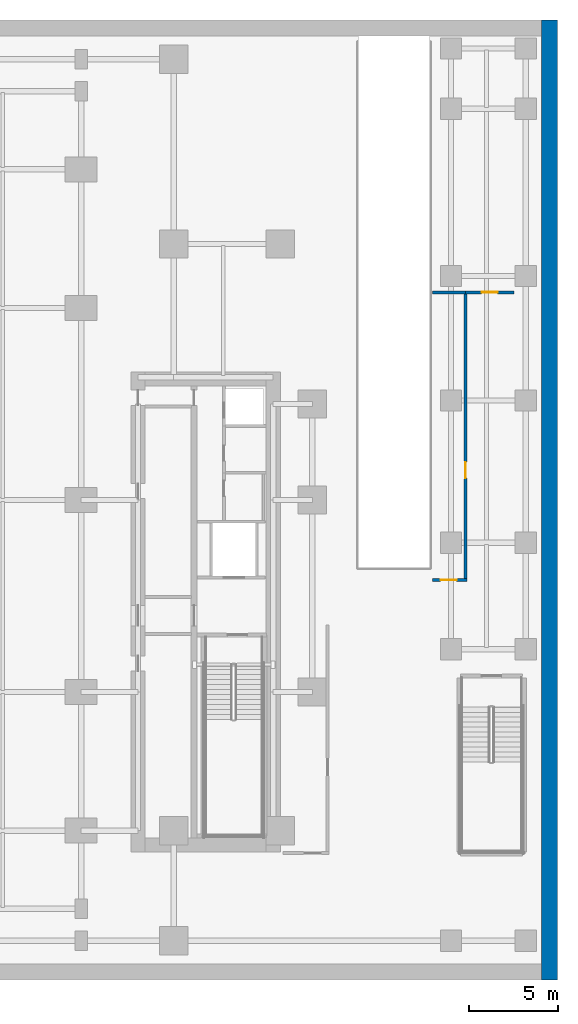
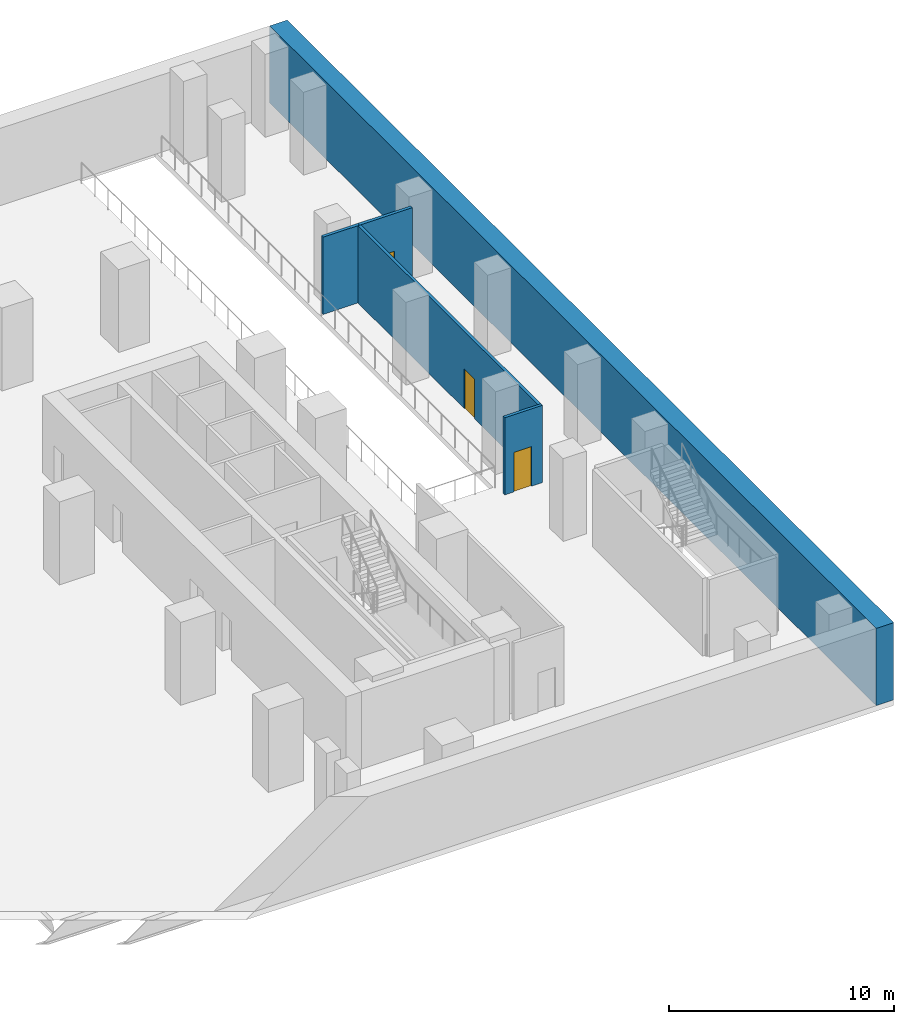
# One storey, part 8 of 14: 5 walls, 3 doors, 3 openings.
"""IFC4 building model written with IfcOpenShell, lengths in metres."""

from ifc_helpers import new_model, si_unit, direction, frame, frame_2d, origin, place, context, subcontext, project, spatial, rectangle, extrude, material, layer, layer_set, type_object, element, fill, save


model = new_model("IFC4")

# Units and contexts
model_context = context("Model", 3, precision=1e-05, world=origin(), true_north=direction((0.0, 1.0)))
body_context = subcontext(model_context, "Body", "Model", "MODEL_VIEW")
ifc_project = project(units=[si_unit("LENGTHUNIT", "METRE"), si_unit("AREAUNIT", "SQUARE_METRE"), si_unit("VOLUMEUNIT", "CUBIC_METRE"), si_unit("PLANEANGLEUNIT", "RADIAN"), si_unit("MASSUNIT", "GRAM", prefix="KILO")], contexts=[model_context])

# Site, building, storey
site_placement = place(None, origin())
site = spatial("IfcSite", under=ifc_project, at=site_placement, CompositionType="ELEMENT")
building_placement = place(site_placement, origin())
building = spatial("IfcBuilding", under=site, at=building_placement, Name="Khairoan Windgate Tower", CompositionType="ELEMENT")
storey_placement = place(building_placement, frame((0.0, 0.0, -4.5)))
storey = spatial("IfcBuildingStorey", under=building, at=storey_placement, Name="B1", CompositionType="ELEMENT", Elevation=-4.5)

# Wall, opening, door
ifc_material_1 = material(Name="Concrete C40/50", Category="concrete")
ifc_layer_1 = layer(ifc_material_1, 0.159912109375, Name="Concrete C40/50")
ifc_layer_set_1 = layer_set([ifc_layer_1], Name="Concrete C40/50")
wall_type_1 = type_object("IfcWallType", Name="Plant and Refuge Compartment Wall", PredefinedType="PARTITIONING", material=ifc_layer_set_1)
wall_1_placement = place(storey_placement, frame((30.820068359375, 11.679931640625, 0.0), z_axis=(0.0, 0.0, 1.0), x_axis=(1.0, 0.0, 0.0)))
wall_1 = element("IfcWall", 1, at=wall_1_placement, inside=storey, type_object=wall_type_1, Name="B1 Interior Partition 014", PredefinedType="PARTITIONING", context=body_context, shape_type="SweptSolid", body=[
    extrude(rectangle(XDim=2.719970703125, YDim=0.159912109375, at=frame_2d((1.35986328125, 0.0))), origin(), (0.0, 0.0, 1.0), 4.199951171875),
])
opening_1_placement = place(wall_1_placement, frame((0.909912109375, 0.0, 0.0)))
opening_1 = element("IfcOpeningElement", 2, at=opening_1_placement, cuts=wall_1, Name="Opening FD-ENT", PredefinedType="OPENING", context=body_context, shape_type="SweptSolid", body=[
    extrude(rectangle(XDim=0.89990234375, YDim=2.14990234375, at=frame_2d((0.449951171875, 1.074951171875))), frame((0.0, 0.08984375, 0.0), z_axis=(0.0, -1.0, 0.0), x_axis=(1.0, 0.0, 0.0)), (0.0, 0.0, 1.0), 0.179931640625),
])
ifc_material_2 = material(Name="Timber Fire-Rated Core", Category="wood")
door_type = type_object("IfcDoorType", Name="Unit and Office Fire Entrance Door FD-ENT 900x2150", OperationType="NOTDEFINED", PredefinedType="DOOR", material=ifc_material_2)
door_1_placement = place(opening_1_placement, origin())
door_1 = element("IfcDoor", 3, at=door_1_placement, inside=storey, type_object=door_type, Name="B1 B1-49-B1-50 Door", OperationType="SINGLE_SWING_LEFT", OverallHeight=2.14990234375, OverallWidth=0.89990234375, PredefinedType="DOOR", context=body_context, shape_type="SweptSolid", body=[
    extrude(rectangle(XDim=0.89990234375, YDim=2.14990234375, at=frame_2d((0.449951171875, 1.074951171875))), frame((0.0, 0.02490234375, 0.0), z_axis=(0.0, -1.0, 0.0), x_axis=(1.0, 0.0, 0.0)), (0.0, 0.0, 1.0), 0.050048828125),
])
fill(opening_1, door_1)

# Wall
wall_2_placement = place(storey_placement, frame((28.9599609375, 11.679931640625, 0.0), z_axis=(0.0, 0.0, 1.0), x_axis=(1.0, 0.0, 0.0)))
element("IfcWall", 4, at=wall_2_placement, inside=storey, type_object=wall_type_1, Name="B1 Interior Partition 016", PredefinedType="PARTITIONING", context=body_context, shape_type="SweptSolid", body=[
    extrude(rectangle(XDim=1.860107421875, YDim=0.159912109375, at=frame_2d((0.93017578125, 0.0))), origin(), (0.0, 0.0, 1.0), 4.199951171875),
])

# Wall, opening, door
ifc_material_3 = material(Name="Acoustic Fire-Rated Gypsum Partition", Category="gypsum")
ifc_layer_2 = layer(ifc_material_3, 0.14990234375, Name="Acoustic Fire-Rated Gypsum Partition")
ifc_layer_set_2 = layer_set([ifc_layer_2], Name="Acoustic Fire-Rated Gypsum Partition")
wall_type_2 = type_object("IfcWallType", Name="Rated Corridor Partition Wall", PredefinedType="PARTITIONING", material=ifc_layer_set_2)
wall_3_placement = place(storey_placement, frame((28.9599609375, -4.5, 0.0), z_axis=(0.0, 0.0, 1.0), x_axis=(1.0, 0.0, 0.0)))
wall_3 = element("IfcWall", 5, at=wall_3_placement, inside=storey, type_object=wall_type_2, Name="B1 Interior Partition 013", PredefinedType="PARTITIONING", context=body_context, shape_type="SweptSolid", body=[
    extrude(rectangle(XDim=1.93505859375, YDim=0.14990234375, at=frame_2d((0.967529296875, 0.0))), origin(), (0.0, 0.0, 1.0), 4.199951171875),
])
opening_2_placement = place(wall_3_placement, frame((0.4599609375, 0.0, 0.0)))
opening_2 = element("IfcOpeningElement", 6, at=opening_2_placement, cuts=wall_3, Name="Opening FD-ENT", PredefinedType="OPENING", context=body_context, shape_type="SweptSolid", body=[
    extrude(rectangle(XDim=0.89990234375, YDim=2.14990234375, at=frame_2d((0.449951171875, 1.074951171875))), frame((0.0, 0.0849609375, 0.0), z_axis=(0.0, -1.0, 0.0), x_axis=(1.0, 0.0, 0.0)), (0.0, 0.0, 1.0), 0.169921875),
])
door_2_placement = place(opening_2_placement, origin())
door_2 = element("IfcDoor", 7, at=door_2_placement, inside=storey, type_object=door_type, Name="B1 B1-45-B1-51 Door", OperationType="SINGLE_SWING_RIGHT", OverallHeight=2.14990234375, OverallWidth=0.89990234375, PredefinedType="DOOR", context=body_context, shape_type="SweptSolid", body=[
    extrude(rectangle(XDim=0.89990234375, YDim=2.14990234375, at=frame_2d((0.449951171875, 1.074951171875))), frame((0.0, 0.02490234375, 0.0), z_axis=(0.0, -1.0, 0.0), x_axis=(1.0, 0.0, 0.0)), (0.0, 0.0, 1.0), 0.050048828125),
])
fill(opening_2, door_2)

wall_4_placement = place(storey_placement, frame((30.820068359375, -4.425048828125, 0.0), z_axis=(0.0, 0.0, 1.0), x_axis=(0.0, 1.0, 0.0)))
wall_4 = element("IfcWall", 8, at=wall_4_placement, inside=storey, type_object=wall_type_2, Name="B1 Interior Partition 015", PredefinedType="PARTITIONING", context=body_context, shape_type="SweptSolid", body=[
    extrude(rectangle(XDim=16.025146484375, YDim=0.14990234375, at=frame_2d((8.0126953125, 0.0))), origin(), (0.0, 0.0, 1.0), 4.199951171875),
])
opening_3_placement = place(wall_4_placement, frame((5.661865234375, 0.0, 0.0)))
opening_3 = element("IfcOpeningElement", 9, at=opening_3_placement, cuts=wall_4, Name="Opening FD-ENT", PredefinedType="OPENING", context=body_context, shape_type="SweptSolid", body=[
    extrude(rectangle(XDim=0.89990234375, YDim=2.14990234375, at=frame_2d((0.449951171875, 1.074951171875))), frame((0.0, 0.0849609375, 0.0), z_axis=(0.0, -1.0, 0.0), x_axis=(1.0, 0.0, 0.0)), (0.0, 0.0, 1.0), 0.169921875),
])
door_3_placement = place(opening_3_placement, origin())
door_3 = element("IfcDoor", 10, at=door_3_placement, inside=storey, type_object=door_type, Name="B1 B1-49-B1-51 Door", OperationType="SINGLE_SWING_RIGHT", OverallHeight=2.14990234375, OverallWidth=0.89990234375, PredefinedType="DOOR", context=body_context, shape_type="SweptSolid", body=[
    extrude(rectangle(XDim=0.89990234375, YDim=2.14990234375, at=frame_2d((0.449951171875, 1.074951171875))), frame((0.0, 0.02490234375, 0.0), z_axis=(0.0, -1.0, 0.0), x_axis=(1.0, 0.0, 0.0)), (0.0, 0.0, 1.0), 0.050048828125),
])
fill(opening_3, door_3)

# Wall
ifc_material_4 = material(Name="Concrete C50/60", Category="concrete")
ifc_layer_3 = layer(ifc_material_4, 0.89990234375, Name="Concrete C50/60")
ifc_layer_set_3 = layer_set([ifc_layer_3], Name="Concrete C50/60")
wall_type_3 = type_object("IfcWallType", Name="Shear Wall DW-B1 900mm", PredefinedType="SHEAR", material=ifc_layer_set_3)
wall_5_placement = place(storey_placement, frame((35.550048828125, -27.0, 0.0), z_axis=(0.0, 0.0, 1.0), x_axis=(0.0, 1.0, 0.0)))
element("IfcWall", 11, at=wall_5_placement, inside=storey, type_object=wall_type_3, Name="East Diaphragm Wall B1", PredefinedType="SHEAR", context=body_context, shape_type="SweptSolid", body=[
    extrude(rectangle(XDim=54.0, YDim=0.89990234375, at=frame_2d((27.0, 0.0))), origin(), (0.0, 0.0, 1.0), 4.199951171875),
])

save(model, "model.ifc")
